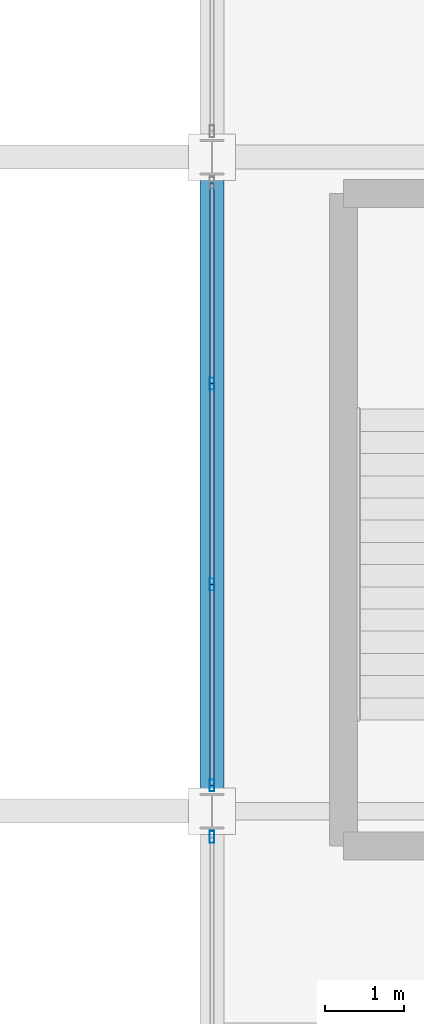
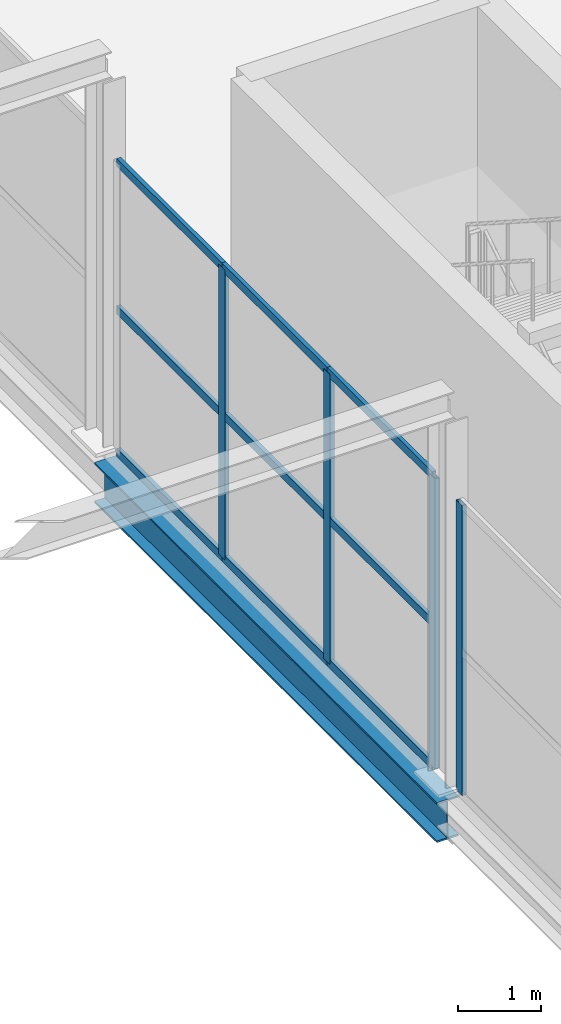
# One storey, part 26 of 147: 13 members, 1 beam, 2 elements without a shape of their own.
"""IFC4 building model written with IfcOpenShell, lengths in metres."""

from ifc_helpers import new_model, si_unit, direction, frame, origin, origin_2d, place, context, subcontext, project, spatial, hollow_rectangle, i_section, extrude, material, layer, layer_set, material_profile, profile_set, type_object, element, aggregate, save


model = new_model("IFC4")

# Units and contexts
model_context = context("Model", 3, precision=1e-05, world=origin(), true_north=direction((0.0, 1.0)))
body_context = subcontext(model_context, "Body", "Model", "MODEL_VIEW")
ifc_project = project(units=[si_unit("LENGTHUNIT", "METRE"), si_unit("AREAUNIT", "SQUARE_METRE"), si_unit("VOLUMEUNIT", "CUBIC_METRE"), si_unit("PLANEANGLEUNIT", "RADIAN"), si_unit("MASSUNIT", "GRAM", prefix="KILO")], contexts=[model_context])

# Site, building, storey
site_placement = place(None, origin())
site = spatial("IfcSite", under=ifc_project, at=site_placement, CompositionType="ELEMENT")
building_placement = place(site_placement, origin())
building = spatial("IfcBuilding", under=site, at=building_placement, Name="Sundgate Opera House", CompositionType="ELEMENT")
storey_placement = place(building_placement, frame((0.0, 0.0, 6.0)))
storey = spatial("IfcBuildingStorey", under=building, at=storey_placement, Name="L01", CompositionType="ELEMENT", Elevation=6.0)

# Beam
ifc_material_1 = material(Name="Steel S355J2", Category="steel")
ifc_material_profile_1 = material_profile(ifc_material_1, i_section(OverallWidth=0.300048828125, OverallDepth=0.590087890625, WebThickness=0.012939453125, FlangeThickness=0.02490234375, at=origin_2d()), Name="HEA 600")
ifc_profile_set_1 = profile_set([ifc_material_profile_1], Name="Steel S355J2")
beam_type = type_object("IfcBeamType", Name="BM-GR-HEA600", PredefinedType="BEAM", material=ifc_profile_set_1)
beam_placement = place(storey_placement, frame((95.39990234375, 24.75, -0.594970703125), z_axis=(0.0, 1.0, 0.0), x_axis=(-1.0, 0.0, 0.0)))
element("IfcBeam", 1, at=beam_placement, inside=storey, type_object=beam_type, Name="L01 Primary N-S Girder B1146", PredefinedType="BEAM", context=body_context, shape_type="SweptSolid", body=[
    extrude(i_section(OverallWidth=0.300048828125, OverallDepth=0.590087890625, WebThickness=0.012939453125, FlangeThickness=0.02490234375, at=origin_2d()), origin(), (0.0, 0.0, 1.0), 8.25),
])

# Curtain wall, member
ifc_material_2 = material(Name="Anodized aluminium and low-iron glass", Category="aluminium")
ifc_layer = layer(ifc_material_2, 0.14990234375)
ifc_layer_set = layer_set([ifc_layer], Name="Anodized aluminium and low-iron glass")
curtain_wall_type = type_object("IfcCurtainWallType", Name="CW-WORKSHOP-DARK", PredefinedType="NOTDEFINED", material=ifc_layer_set)
curtain_wall_1_placement = place(storey_placement, origin())
curtain_wall_1 = element("IfcCurtainWall", 2, at=curtain_wall_1_placement, inside=storey, type_object=curtain_wall_type, Name="L01 Curtain Wall CW146", PredefinedType="NOTDEFINED")
ifc_material_3 = material(Name="Anodized aluminium EN AW-6063", Category="aluminium")
ifc_material_profile_2 = material_profile(ifc_material_3, hollow_rectangle(XDim=0.06005859375, YDim=0.14990234375, WallThickness=0.00390625, at=origin_2d()), Name="CWM 150x60x4")
ifc_profile_set_2 = profile_set([ifc_material_profile_2], Name="Anodized aluminium EN AW-6063")
member_type_1 = type_object("IfcMemberType", Name="CWM-ALU-150x60", PredefinedType="MULLION", material=ifc_profile_set_2)
member_1_placement = place(storey_placement, frame((95.39990234375, 24.425048828125, 0.0), z_axis=(0.0, 0.0, 1.0), x_axis=(1.0, 0.0, 0.0)))
member_1 = element("IfcMember", 3, at=member_1_placement, type_object=member_type_1, Name="CW146 Mullion 1", PredefinedType="MULLION", context=body_context, shape_type="SweptSolid", body=[
    extrude(hollow_rectangle(XDim=0.06005859375, YDim=0.14990234375, WallThickness=0.00390625, at=origin_2d()), origin(), (0.0, 0.0, 1.0), 4.264892578125),
])
aggregate(curtain_wall_1, [member_1])

# Curtain wall, members
curtain_wall_2_placement = place(storey_placement, origin())
curtain_wall_2 = element("IfcCurtainWall", 4, at=curtain_wall_2_placement, inside=storey, type_object=curtain_wall_type, Name="L01 Curtain Wall CW147", PredefinedType="NOTDEFINED")
member_2_placement = place(storey_placement, frame((95.39990234375, 30.1416015625, 0.0), z_axis=(0.0, 0.0, 1.0), x_axis=(1.0, 0.0, 0.0)))
member_2 = element("IfcMember", 5, at=member_2_placement, type_object=member_type_1, Name="CW147 Mullion 2", PredefinedType="MULLION", context=body_context, shape_type="SweptSolid", body=[
    extrude(hollow_rectangle(XDim=0.06005859375, YDim=0.14990234375, WallThickness=0.00390625, at=origin_2d()), origin(), (0.0, 0.0, 1.0), 4.264892578125),
])
member_3_placement = place(storey_placement, frame((95.39990234375, 27.6083984375, 0.0), z_axis=(0.0, 0.0, 1.0), x_axis=(1.0, 0.0, 0.0)))
member_3 = element("IfcMember", 6, at=member_3_placement, type_object=member_type_1, Name="CW147 Mullion 3", PredefinedType="MULLION", context=body_context, shape_type="SweptSolid", body=[
    extrude(hollow_rectangle(XDim=0.06005859375, YDim=0.14990234375, WallThickness=0.00390625, at=origin_2d()), origin(), (0.0, 0.0, 1.0), 4.264892578125),
])
member_4_placement = place(storey_placement, frame((95.39990234375, 25.074951171875, 0.0), z_axis=(0.0, 0.0, 1.0), x_axis=(1.0, 0.0, 0.0)))
member_4 = element("IfcMember", 7, at=member_4_placement, type_object=member_type_1, Name="CW147 Mullion 4", PredefinedType="MULLION", context=body_context, shape_type="SweptSolid", body=[
    extrude(hollow_rectangle(XDim=0.06005859375, YDim=0.14990234375, WallThickness=0.00390625, at=origin_2d()), origin(), (0.0, 0.0, 1.0), 4.264892578125),
])
ifc_material_4 = material(Name="Anodized aluminium EN AW-6063", Category="aluminium")
ifc_material_profile_3 = material_profile(ifc_material_4, hollow_rectangle(XDim=0.054931640625, YDim=0.1201171875, WallThickness=0.00390625, at=origin_2d()), Name="CWT 120x55x4")
ifc_profile_set_3 = profile_set([ifc_material_profile_3], Name="Anodized aluminium EN AW-6063")
member_type_2 = type_object("IfcMemberType", Name="CWT-ALU-120x55", PredefinedType="USERDEFINED", material=ifc_profile_set_3)
member_5_placement = place(storey_placement, frame((95.39990234375, 32.675048828125, 0.0), z_axis=(0.0, -1.0, 0.0), x_axis=(1.0, 0.0, 0.0)))
member_5 = element("IfcMember", 8, at=member_5_placement, type_object=member_type_2, Name="CW147 Transom 1", ObjectType="TRANSOM", PredefinedType="USERDEFINED", context=body_context, shape_type="SweptSolid", body=[
    extrude(hollow_rectangle(XDim=0.054931640625, YDim=0.1201171875, WallThickness=0.00390625, at=origin_2d()), origin(), (0.0, 0.0, 1.0), 2.533447265625),
])
member_6_placement = place(storey_placement, frame((95.39990234375, 32.675048828125, 2.10009765625), z_axis=(0.0, -1.0, 0.0), x_axis=(1.0, 0.0, 0.0)))
member_6 = element("IfcMember", 9, at=member_6_placement, type_object=member_type_2, Name="CW147 Transom 2", ObjectType="TRANSOM", PredefinedType="USERDEFINED", context=body_context, shape_type="SweptSolid", body=[
    extrude(hollow_rectangle(XDim=0.054931640625, YDim=0.1201171875, WallThickness=0.00390625, at=origin_2d()), origin(), (0.0, 0.0, 1.0), 2.533447265625),
])
member_7_placement = place(storey_placement, frame((95.39990234375, 32.675048828125, 4.264892578125), z_axis=(0.0, -1.0, 0.0), x_axis=(1.0, 0.0, 0.0)))
member_7 = element("IfcMember", 10, at=member_7_placement, type_object=member_type_2, Name="CW147 Transom 3", ObjectType="TRANSOM", PredefinedType="USERDEFINED", context=body_context, shape_type="SweptSolid", body=[
    extrude(hollow_rectangle(XDim=0.054931640625, YDim=0.1201171875, WallThickness=0.00390625, at=origin_2d()), origin(), (0.0, 0.0, 1.0), 2.533447265625),
])
member_8_placement = place(storey_placement, frame((95.39990234375, 30.1416015625, 0.0), z_axis=(0.0, -1.0, 0.0), x_axis=(1.0, 0.0, 0.0)))
member_8 = element("IfcMember", 11, at=member_8_placement, type_object=member_type_2, Name="CW147 Transom 4", ObjectType="TRANSOM", PredefinedType="USERDEFINED", context=body_context, shape_type="SweptSolid", body=[
    extrude(hollow_rectangle(XDim=0.054931640625, YDim=0.1201171875, WallThickness=0.00390625, at=origin_2d()), origin(), (0.0, 0.0, 1.0), 2.533203125),
])
member_9_placement = place(storey_placement, frame((95.39990234375, 30.1416015625, 2.10009765625), z_axis=(0.0, -1.0, 0.0), x_axis=(1.0, 0.0, 0.0)))
member_9 = element("IfcMember", 12, at=member_9_placement, type_object=member_type_2, Name="CW147 Transom 5", ObjectType="TRANSOM", PredefinedType="USERDEFINED", context=body_context, shape_type="SweptSolid", body=[
    extrude(hollow_rectangle(XDim=0.054931640625, YDim=0.1201171875, WallThickness=0.00390625, at=origin_2d()), origin(), (0.0, 0.0, 1.0), 2.533203125),
])
member_10_placement = place(storey_placement, frame((95.39990234375, 30.1416015625, 4.264892578125), z_axis=(0.0, -1.0, 0.0), x_axis=(1.0, 0.0, 0.0)))
member_10 = element("IfcMember", 13, at=member_10_placement, type_object=member_type_2, Name="CW147 Transom 6", ObjectType="TRANSOM", PredefinedType="USERDEFINED", context=body_context, shape_type="SweptSolid", body=[
    extrude(hollow_rectangle(XDim=0.054931640625, YDim=0.1201171875, WallThickness=0.00390625, at=origin_2d()), origin(), (0.0, 0.0, 1.0), 2.533203125),
])
member_11_placement = place(storey_placement, frame((95.39990234375, 27.6083984375, 0.0), z_axis=(0.0, -1.0, 0.0), x_axis=(1.0, 0.0, 0.0)))
member_11 = element("IfcMember", 14, at=member_11_placement, type_object=member_type_2, Name="CW147 Transom 7", ObjectType="TRANSOM", PredefinedType="USERDEFINED", context=body_context, shape_type="SweptSolid", body=[
    extrude(hollow_rectangle(XDim=0.054931640625, YDim=0.1201171875, WallThickness=0.00390625, at=origin_2d()), origin(), (0.0, 0.0, 1.0), 2.533447265625),
])
member_12_placement = place(storey_placement, frame((95.39990234375, 27.6083984375, 2.10009765625), z_axis=(0.0, -1.0, 0.0), x_axis=(1.0, 0.0, 0.0)))
member_12 = element("IfcMember", 15, at=member_12_placement, type_object=member_type_2, Name="CW147 Transom 8", ObjectType="TRANSOM", PredefinedType="USERDEFINED", context=body_context, shape_type="SweptSolid", body=[
    extrude(hollow_rectangle(XDim=0.054931640625, YDim=0.1201171875, WallThickness=0.00390625, at=origin_2d()), origin(), (0.0, 0.0, 1.0), 2.533447265625),
])
member_13_placement = place(storey_placement, frame((95.39990234375, 27.6083984375, 4.264892578125), z_axis=(0.0, -1.0, 0.0), x_axis=(1.0, 0.0, 0.0)))
member_13 = element("IfcMember", 16, at=member_13_placement, type_object=member_type_2, Name="CW147 Transom 9", ObjectType="TRANSOM", PredefinedType="USERDEFINED", context=body_context, shape_type="SweptSolid", body=[
    extrude(hollow_rectangle(XDim=0.054931640625, YDim=0.1201171875, WallThickness=0.00390625, at=origin_2d()), origin(), (0.0, 0.0, 1.0), 2.533447265625),
])
aggregate(curtain_wall_2, [member_2, member_3, member_4, member_5, member_6, member_7, member_8, member_9, member_10, member_11, member_12, member_13])

save(model, "model.ifc")
